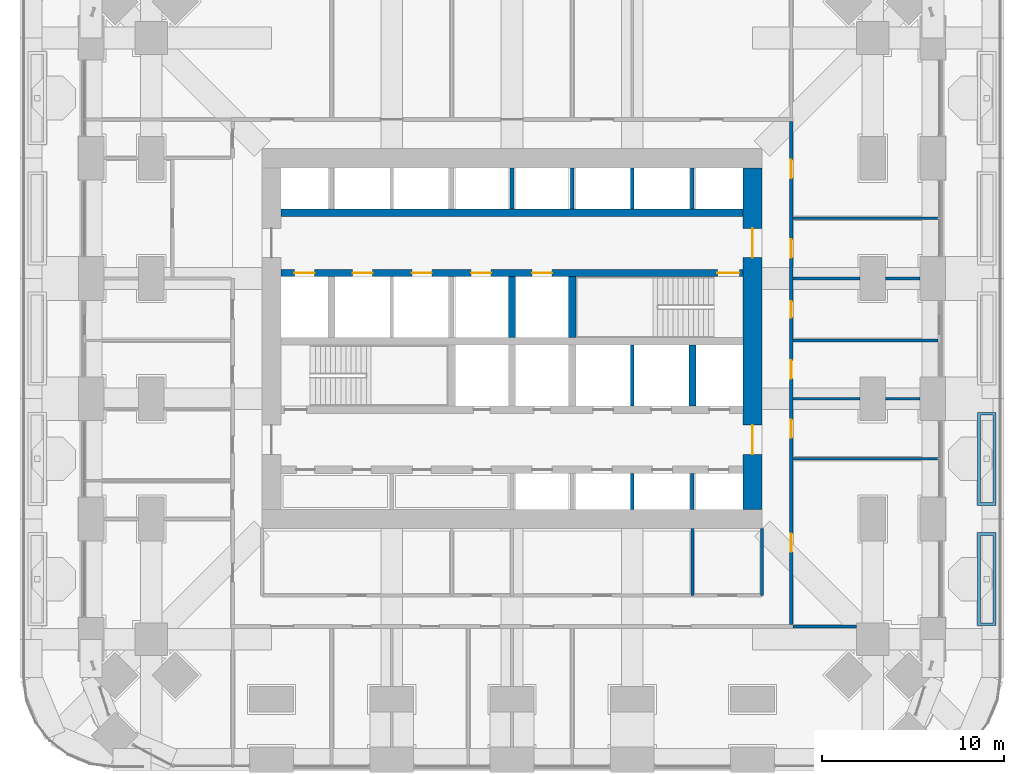
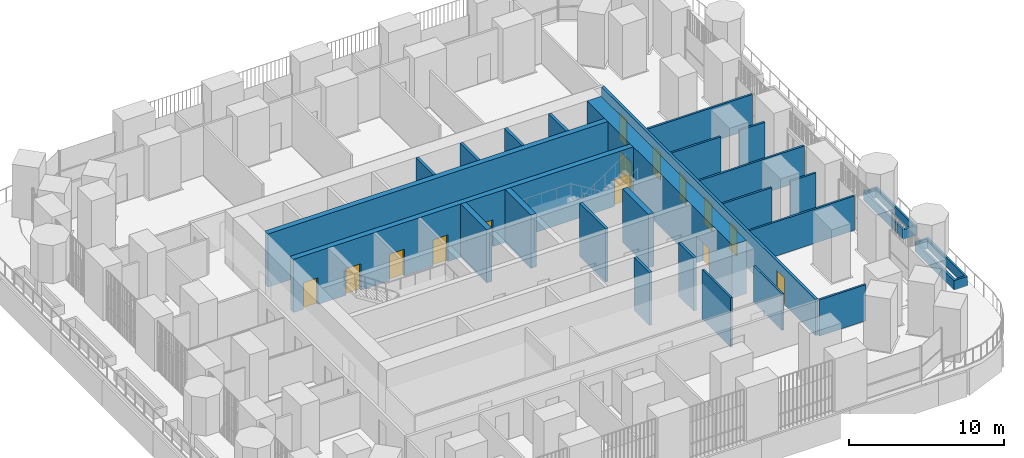
# One storey, part 19 of 27: 26 walls, 14 doors, 14 openings.
"""IFC4 building model written with IfcOpenShell, lengths in metres."""

from ifc_helpers import new_model, si_unit, direction, frame, frame_2d, origin, place, context, subcontext, project, spatial, polyline, rectangle, outline, extrude, material, layer, layer_set, type_object, element, fill, save


model = new_model("IFC4")

# Units and contexts
model_context = context("Model", 3, precision=1e-05, world=origin(), true_north=direction((0.0, 1.0)))
body_context = subcontext(model_context, "Body", "Model", "MODEL_VIEW")
ifc_project = project(units=[si_unit("LENGTHUNIT", "METRE"), si_unit("AREAUNIT", "SQUARE_METRE"), si_unit("VOLUMEUNIT", "CUBIC_METRE"), si_unit("PLANEANGLEUNIT", "RADIAN"), si_unit("MASSUNIT", "GRAM", prefix="KILO")], contexts=[model_context])

# Site, building, storey
site_placement = place(None, origin())
site = spatial("IfcSite", under=ifc_project, at=site_placement, CompositionType="ELEMENT")
building_placement = place(site_placement, origin())
building = spatial("IfcBuilding", under=site, at=building_placement, Name="Cobogo Forest Laboratory Tower", CompositionType="ELEMENT")
storey_placement = place(building_placement, frame((0.0, 0.0, 82.199951171875)))
storey = spatial("IfcBuildingStorey", under=building, at=storey_placement, Name="L18", CompositionType="ELEMENT", Elevation=82.199951171875)

# Wall, openings, doors
ifc_material_1 = material(Name="Concrete HA-50 (C50/60)", Category="concrete")
ifc_layer_1 = layer(ifc_material_1, 0.39990234375)
ifc_layer_set_1 = layer_set([ifc_layer_1], Name="CI400 core inner wall 400")
wall_type_1 = type_object("IfcWallType", Name="CI400 core inner wall 400", PredefinedType="SHEAR", material=ifc_layer_set_1)
wall_1_placement = place(storey_placement, frame((13.72509765625, 26.699951171875, 0.0), z_axis=(0.0, 0.0, 1.0), x_axis=(1.0, 0.0, 0.0)))
wall_1 = element("IfcWall", 1, at=wall_1_placement, inside=storey, type_object=wall_type_1, Name="Core wall CI-26.7 L18", PredefinedType="SHEAR", context=body_context, shape_type="SweptSolid", body=[
    extrude(rectangle(XDim=25.349853515625, YDim=0.39990234375, at=frame_2d((12.6748046875, 0.0))), origin(), (0.0, 0.0, 1.0), 4.199951171875),
])
opening_1_placement = place(wall_1_placement, frame((23.949951171875, 0.0, 0.0)))
opening_1 = element("IfcOpeningElement", 2, at=opening_1_placement, cuts=wall_1, Name="Opening L18-D31", PredefinedType="OPENING", context=body_context, shape_type="SweptSolid", body=[
    extrude(rectangle(XDim=1.199951171875, YDim=2.10009765625, at=frame_2d((0.60009765625, 1.050048828125))), frame((0.0, 0.2099609375, 0.0), z_axis=(0.0, -1.0, 0.0), x_axis=(1.0, 0.0, 0.0)), (0.0, 0.0, 1.0), 0.419921875),
])
opening_2_placement = place(wall_1_placement, frame((0.737548828125, 0.0, 0.0)))
opening_2 = element("IfcOpeningElement", 3, at=opening_2_placement, cuts=wall_1, Name="Opening L18-LD-FL1", PredefinedType="OPENING", context=body_context, shape_type="SweptSolid", body=[
    extrude(rectangle(XDim=1.10009765625, YDim=2.10009765625, at=frame_2d((0.550048828125, 1.050048828125))), frame((0.0, 0.2099609375, 0.0), z_axis=(0.0, -1.0, 0.0), x_axis=(1.0, 0.0, 0.0)), (0.0, 0.0, 1.0), 0.419921875),
])
opening_3_placement = place(wall_1_placement, frame((3.925048828125, 0.0, 0.0)))
opening_3 = element("IfcOpeningElement", 4, at=opening_3_placement, cuts=wall_1, Name="Opening L18-LD-LS3", PredefinedType="OPENING", context=body_context, shape_type="SweptSolid", body=[
    extrude(rectangle(XDim=1.10009765625, YDim=2.10009765625, at=frame_2d((0.550048828125, 1.050048828125))), frame((0.0, 0.2099609375, 0.0), z_axis=(0.0, -1.0, 0.0), x_axis=(1.0, 0.0, 0.0)), (0.0, 0.0, 1.0), 0.419921875),
])
opening_4_placement = place(wall_1_placement, frame((7.175048828125, 0.0, 0.0)))
opening_4 = element("IfcOpeningElement", 5, at=opening_4_placement, cuts=wall_1, Name="Opening L18-LD-LS4", PredefinedType="OPENING", context=body_context, shape_type="SweptSolid", body=[
    extrude(rectangle(XDim=1.10009765625, YDim=2.10009765625, at=frame_2d((0.550048828125, 1.050048828125))), frame((0.0, 0.2099609375, 0.0), z_axis=(0.0, -1.0, 0.0), x_axis=(1.0, 0.0, 0.0)), (0.0, 0.0, 1.0), 0.419921875),
])
opening_5_placement = place(wall_1_placement, frame((10.425048828125, 0.0, 0.0)))
opening_5 = element("IfcOpeningElement", 6, at=opening_5_placement, cuts=wall_1, Name="Opening L18-LD-LS5", PredefinedType="OPENING", context=body_context, shape_type="SweptSolid", body=[
    extrude(rectangle(XDim=1.10009765625, YDim=2.10009765625, at=frame_2d((0.550048828125, 1.050048828125))), frame((0.0, 0.2099609375, 0.0), z_axis=(0.0, -1.0, 0.0), x_axis=(1.0, 0.0, 0.0)), (0.0, 0.0, 1.0), 0.419921875),
])
opening_6_placement = place(wall_1_placement, frame((13.77490234375, 0.0, 0.0)))
opening_6 = element("IfcOpeningElement", 7, at=opening_6_placement, cuts=wall_1, Name="Opening L18-LD-LS6", PredefinedType="OPENING", context=body_context, shape_type="SweptSolid", body=[
    extrude(rectangle(XDim=1.10009765625, YDim=2.10009765625, at=frame_2d((0.550048828125, 1.050048828125))), frame((0.0, 0.2099609375, 0.0), z_axis=(0.0, -1.0, 0.0), x_axis=(1.0, 0.0, 0.0)), (0.0, 0.0, 1.0), 0.419921875),
])
ifc_material_2 = material(Name="Steel fire door", Category="steel")
door_type_1 = type_object("IfcDoorType", Name="DS1 protected stair door 1200 EI2 60", OperationType="SINGLE_SWING_LEFT", PredefinedType="DOOR", material=ifc_material_2)
door_1_placement = place(opening_1_placement, origin())
door_1 = element("IfcDoor", 8, at=door_1_placement, inside=storey, type_object=door_type_1, Name="Door L18-ST2", OperationType="SINGLE_SWING_RIGHT", OverallHeight=2.10009765625, OverallWidth=1.199951171875, PredefinedType="DOOR", context=body_context, shape_type="SweptSolid", body=[
    extrude(rectangle(XDim=1.199951171875, YDim=2.10009765625, at=frame_2d((0.60009765625, 1.050048828125))), frame((0.0, 0.02490234375, 0.0), z_axis=(0.0, -1.0, 0.0), x_axis=(1.0, 0.0, 0.0)), (0.0, 0.0, 1.0), 0.050048828125),
])
fill(opening_1, door_1)
ifc_material_3 = material(Name="Stainless steel lift door", Category="steel")
door_type_2 = type_object("IfcDoorType", Name="LD lift landing door 1100", OperationType="DOUBLE_DOOR_SLIDING", PredefinedType="DOOR", material=ifc_material_3)
door_2_placement = place(opening_2_placement, origin())
door_2 = element("IfcDoor", 9, at=door_2_placement, inside=storey, type_object=door_type_2, Name="Lift landing door FL1 L18", OperationType="DOUBLE_DOOR_SLIDING", OverallHeight=2.10009765625, OverallWidth=1.10009765625, PredefinedType="DOOR", context=body_context, shape_type="SweptSolid", body=[
    extrude(rectangle(XDim=1.10009765625, YDim=2.10009765625, at=frame_2d((0.550048828125, 1.050048828125))), frame((0.0, 0.02490234375, 0.0), z_axis=(0.0, -1.0, 0.0), x_axis=(1.0, 0.0, 0.0)), (0.0, 0.0, 1.0), 0.050048828125),
])
fill(opening_2, door_2)
door_3_placement = place(opening_3_placement, origin())
door_3 = element("IfcDoor", 10, at=door_3_placement, inside=storey, type_object=door_type_2, Name="Lift landing door LS3 L18", OperationType="DOUBLE_DOOR_SLIDING", OverallHeight=2.10009765625, OverallWidth=1.10009765625, PredefinedType="DOOR", context=body_context, shape_type="SweptSolid", body=[
    extrude(rectangle(XDim=1.10009765625, YDim=2.10009765625, at=frame_2d((0.550048828125, 1.050048828125))), frame((0.0, 0.02490234375, 0.0), z_axis=(0.0, -1.0, 0.0), x_axis=(1.0, 0.0, 0.0)), (0.0, 0.0, 1.0), 0.050048828125),
])
fill(opening_3, door_3)
door_4_placement = place(opening_4_placement, origin())
door_4 = element("IfcDoor", 11, at=door_4_placement, inside=storey, type_object=door_type_2, Name="Lift landing door LS4 L18", OperationType="DOUBLE_DOOR_SLIDING", OverallHeight=2.10009765625, OverallWidth=1.10009765625, PredefinedType="DOOR", context=body_context, shape_type="SweptSolid", body=[
    extrude(rectangle(XDim=1.10009765625, YDim=2.10009765625, at=frame_2d((0.550048828125, 1.050048828125))), frame((0.0, 0.02490234375, 0.0), z_axis=(0.0, -1.0, 0.0), x_axis=(1.0, 0.0, 0.0)), (0.0, 0.0, 1.0), 0.050048828125),
])
fill(opening_4, door_4)
door_5_placement = place(opening_5_placement, origin())
door_5 = element("IfcDoor", 12, at=door_5_placement, inside=storey, type_object=door_type_2, Name="Lift landing door LS5 L18", OperationType="DOUBLE_DOOR_SLIDING", OverallHeight=2.10009765625, OverallWidth=1.10009765625, PredefinedType="DOOR", context=body_context, shape_type="SweptSolid", body=[
    extrude(rectangle(XDim=1.10009765625, YDim=2.10009765625, at=frame_2d((0.550048828125, 1.050048828125))), frame((0.0, 0.02490234375, 0.0), z_axis=(0.0, -1.0, 0.0), x_axis=(1.0, 0.0, 0.0)), (0.0, 0.0, 1.0), 0.050048828125),
])
fill(opening_5, door_5)
door_6_placement = place(opening_6_placement, origin())
door_6 = element("IfcDoor", 13, at=door_6_placement, inside=storey, type_object=door_type_2, Name="Lift landing door LS6 L18", OperationType="DOUBLE_DOOR_SLIDING", OverallHeight=2.10009765625, OverallWidth=1.10009765625, PredefinedType="DOOR", context=body_context, shape_type="SweptSolid", body=[
    extrude(rectangle(XDim=1.10009765625, YDim=2.10009765625, at=frame_2d((0.550048828125, 1.050048828125))), frame((0.0, 0.02490234375, 0.0), z_axis=(0.0, -1.0, 0.0), x_axis=(1.0, 0.0, 0.0)), (0.0, 0.0, 1.0), 0.050048828125),
])
fill(opening_6, door_6)

# Walls
wall_2_placement = place(storey_placement, frame((13.72509765625, 30.0, 0.0), z_axis=(0.0, 0.0, 1.0), x_axis=(1.0, 0.0, 0.0)))
element("IfcWall", 14, at=wall_2_placement, inside=storey, type_object=wall_type_1, Name="Core wall CI-30.0 L18", PredefinedType="SHEAR", context=body_context, shape_type="SweptSolid", body=[
    extrude(rectangle(XDim=25.349853515625, YDim=0.39990234375, at=frame_2d((12.6748046875, 0.0))), origin(), (0.0, 0.0, 1.0), 4.199951171875),
])
for number, where, z_axis, x_axis, name in (
    (15, (36.300048828125, 19.39990234375, 0.0), (0.0, 0.0, 1.0), (0.0, 1.0, 0.0), "Core wall CX-36.3 L18"),
    (16, (26.39990234375, 23.14990234375, 0.0), (0.0, 0.0, 1.0), (0.0, 1.0, 0.0), "Core wall CX-26.4N L18"),
    (17, (29.699951171875, 23.14990234375, 0.0), (0.0, 0.0, 1.0), (0.0, 1.0, 0.0), "Core wall CX-29.7N L18"),
):
    element("IfcWall", number, at=place(storey_placement, frame(where, z_axis=z_axis, x_axis=x_axis)), inside=storey, type_object=wall_type_1, Name=name, PredefinedType="SHEAR", context=body_context, shape_type="SweptSolid", body=[
        extrude(rectangle(XDim=3.35009765625, YDim=0.39990234375, at=frame_2d((1.675048828125, 0.0))), origin(), (0.0, 0.0, 1.0), 4.199951171875),
    ])

# Wall, openings, doors
ifc_layer_2 = layer(ifc_material_1, 1.050048828125)
ifc_layer_set_2 = layer_set([ifc_layer_2], Name="CW1050 core outer wall 1050")
wall_type_2 = type_object("IfcWallType", Name="CW1050 core outer wall 1050", PredefinedType="SHEAR", material=ifc_layer_set_2)
wall_3_placement = place(storey_placement, frame((39.60009765625, 13.72509765625, 0.0), z_axis=(0.0, 0.0, 1.0), x_axis=(0.0, 1.0, 0.0)))
wall_3 = element("IfcWall", 18, at=wall_3_placement, inside=storey, type_object=wall_type_2, Name="Core wall CO-E L18", PredefinedType="SHEAR", context=body_context, shape_type="SweptSolid", body=[
    extrude(rectangle(XDim=18.75, YDim=1.050048828125, at=frame_2d((9.375, 0.0))), origin(), (0.0, 0.0, 1.0), 4.199951171875),
])
opening_7_placement = place(wall_3_placement, frame((3.02490234375, 0.0, 0.0)))
opening_7 = element("IfcOpeningElement", 19, at=opening_7_placement, cuts=wall_3, Name="Opening L18-D20", PredefinedType="OPENING", context=body_context, shape_type="SweptSolid", body=[
    extrude(rectangle(XDim=1.60009765625, YDim=2.10009765625, at=frame_2d((0.800048828125, 1.050048828125))), frame((0.0, 0.534912109375, 0.0), z_axis=(0.0, -1.0, 0.0), x_axis=(1.0, 0.0, 0.0)), (0.0, 0.0, 1.0), 1.070068359375),
])
opening_8_placement = place(wall_3_placement, frame((13.824951171875, 0.0, 0.0)))
opening_8 = element("IfcOpeningElement", 20, at=opening_8_placement, cuts=wall_3, Name="Opening L18-D34", PredefinedType="OPENING", context=body_context, shape_type="SweptSolid", body=[
    extrude(rectangle(XDim=1.60009765625, YDim=2.10009765625, at=frame_2d((0.800048828125, 1.050048828125))), frame((0.0, 0.534912109375, 0.0), z_axis=(0.0, -1.0, 0.0), x_axis=(1.0, 0.0, 0.0)), (0.0, 0.0, 1.0), 1.070068359375),
])
door_type_3 = type_object("IfcDoorType", Name="DS2 protected lobby door pair 1600 EI2 60", OperationType="DOUBLE_DOOR_DOUBLE_SWING", PredefinedType="DOOR", material=ifc_material_2)
door_7_placement = place(opening_7_placement, origin())
door_7 = element("IfcDoor", 21, at=door_7_placement, inside=storey, type_object=door_type_3, Name="Door L18-CO-E-S", OperationType="DOUBLE_DOOR_DOUBLE_SWING", OverallHeight=2.10009765625, OverallWidth=1.60009765625, PredefinedType="DOOR", context=body_context, shape_type="SweptSolid", body=[
    extrude(rectangle(XDim=1.60009765625, YDim=2.10009765625, at=frame_2d((0.800048828125, 1.050048828125))), frame((0.0, 0.02490234375, 0.0), z_axis=(0.0, -1.0, 0.0), x_axis=(1.0, 0.0, 0.0)), (0.0, 0.0, 1.0), 0.050048828125),
])
fill(opening_7, door_7)
door_8_placement = place(opening_8_placement, origin())
door_8 = element("IfcDoor", 22, at=door_8_placement, inside=storey, type_object=door_type_3, Name="Door L18-CO-E-N", OperationType="DOUBLE_DOOR_DOUBLE_SWING", OverallHeight=2.10009765625, OverallWidth=1.60009765625, PredefinedType="DOOR", context=body_context, shape_type="SweptSolid", body=[
    extrude(rectangle(XDim=1.60009765625, YDim=2.10009765625, at=frame_2d((0.800048828125, 1.050048828125))), frame((0.0, 0.02490234375, 0.0), z_axis=(0.0, -1.0, 0.0), x_axis=(1.0, 0.0, 0.0)), (0.0, 0.0, 1.0), 0.050048828125),
])
fill(opening_8, door_8)

# Walls
ifc_material_4 = material(Name="Gypsum board on steel studs", Category="steel")
ifc_layer_3 = layer(ifc_material_4, 0.14990234375)
ifc_layer_set_3 = layer_set([ifc_layer_3], Name="PT1 laboratory partition 150")
wall_type_3 = type_object("IfcWallType", Name="PT1 laboratory partition 150", PredefinedType="PARTITIONING", material=ifc_layer_set_3)
wall_4_placement = place(storey_placement, frame((40.125, 12.675048828125, 0.0), z_axis=(0.0, 0.0, 1.0), x_axis=(0.0, -1.0, 0.0)))
element("IfcWall", 23, at=wall_4_placement, inside=storey, type_object=wall_type_3, Name="Partition CSTRIP-SE L18", PredefinedType="PARTITIONING", context=body_context, shape_type="SweptSolid", body=[
    extrude(rectangle(XDim=3.675048828125, YDim=0.14990234375, at=frame_2d((1.83740234375, 0.0))), origin(), (0.0, 0.0, 1.0), 2.85009765625),
])
wall_5_placement = place(storey_placement, frame((36.300048828125, 12.675048828125, 0.0), z_axis=(0.0, 0.0, 1.0), x_axis=(0.0, -1.0, 0.0)))
element("IfcWall", 24, at=wall_5_placement, inside=storey, type_object=wall_type_3, Name="Partition CSTRIP-S36.3 L18", PredefinedType="PARTITIONING", context=body_context, shape_type="SweptSolid", body=[
    extrude(rectangle(XDim=3.675048828125, YDim=0.14990234375, at=frame_2d((1.83740234375, 0.0))), origin(), (0.0, 0.0, 1.0), 3.900146484375),
])
wall_6_placement = place(storey_placement, frame((45.300048828125, 7.300048828125, 0.0), z_axis=(0.0, 0.0, 1.0), x_axis=(-1.0, 0.0, 0.0)))
element("IfcWall", 25, at=wall_6_placement, inside=storey, type_object=wall_type_3, Name="Partition PW-SE L18", PredefinedType="PARTITIONING", context=body_context, shape_type="SweptSolid", body=[
    extrude(rectangle(XDim=3.47509765625, YDim=0.14990234375, at=frame_2d((1.737548828125, 0.0))), origin(), (0.0, 0.0, 1.0), 2.85009765625),
])
wall_7_placement = place(storey_placement, frame((49.77001953125, 23.0, 0.0), z_axis=(0.0, 0.0, 1.0), x_axis=(-1.0, 0.0, 0.0)))
element("IfcWall", 26, at=wall_7_placement, inside=storey, type_object=wall_type_3, Name="Partition SVC-E1-1 L18", PredefinedType="PARTITIONING", context=body_context, shape_type="SweptSolid", body=[
    extrude(rectangle(XDim=7.945068359375, YDim=0.14990234375, at=frame_2d((3.97265625, 0.0))), origin(), (0.0, 0.0, 1.0), 2.699951171875),
])
wall_8_placement = place(storey_placement, frame((48.800048828125, 26.39990234375, 0.0), z_axis=(0.0, 0.0, 1.0), x_axis=(-1.0, 0.0, 0.0)))
element("IfcWall", 27, at=wall_8_placement, inside=storey, type_object=wall_type_3, Name="Partition SVC-E2-1 L18", PredefinedType="PARTITIONING", context=body_context, shape_type="SweptSolid", body=[
    extrude(rectangle(XDim=1.900146484375, YDim=0.14990234375, at=frame_2d((0.9501953125, 0.0))), origin(), (0.0, 0.0, 1.0), 2.85009765625),
])
wall_9_placement = place(storey_placement, frame((45.5, 26.39990234375, 0.0), z_axis=(0.0, 0.0, 1.0), x_axis=(-1.0, 0.0, 0.0)))
element("IfcWall", 28, at=wall_9_placement, inside=storey, type_object=wall_type_3, Name="Partition SVC-E2-2 L18", PredefinedType="PARTITIONING", context=body_context, shape_type="SweptSolid", body=[
    extrude(rectangle(XDim=3.675048828125, YDim=0.14990234375, at=frame_2d((1.83740234375, 0.0))), origin(), (0.0, 0.0, 1.0), 2.85009765625),
])
wall_10_placement = place(storey_placement, frame((49.77001953125, 16.5, 0.0), z_axis=(0.0, 0.0, 1.0), x_axis=(-1.0, 0.0, 0.0)))
element("IfcWall", 29, at=wall_10_placement, inside=storey, type_object=wall_type_3, Name="Partition CUT-E16.5-1 L18", PredefinedType="PARTITIONING", context=body_context, shape_type="SweptSolid", body=[
    extrude(rectangle(XDim=7.945068359375, YDim=0.14990234375, at=frame_2d((3.97265625, 0.0))), origin(), (0.0, 0.0, 1.0), 2.699951171875),
])
wall_11_placement = place(storey_placement, frame((48.800048828125, 19.800048828125, 0.0), z_axis=(0.0, 0.0, 1.0), x_axis=(-1.0, 0.0, 0.0)))
element("IfcWall", 30, at=wall_11_placement, inside=storey, type_object=wall_type_3, Name="Partition CUT-E19.8-1 L18", PredefinedType="PARTITIONING", context=body_context, shape_type="SweptSolid", body=[
    extrude(rectangle(XDim=1.900146484375, YDim=0.14990234375, at=frame_2d((0.9501953125, 0.0))), origin(), (0.0, 0.0, 1.0), 2.85009765625),
])
wall_12_placement = place(storey_placement, frame((45.5, 19.800048828125, 0.0), z_axis=(0.0, 0.0, 1.0), x_axis=(-1.0, 0.0, 0.0)))
element("IfcWall", 31, at=wall_12_placement, inside=storey, type_object=wall_type_3, Name="Partition CUT-E19.8-2 L18", PredefinedType="PARTITIONING", context=body_context, shape_type="SweptSolid", body=[
    extrude(rectangle(XDim=3.675048828125, YDim=0.14990234375, at=frame_2d((1.83740234375, 0.0))), origin(), (0.0, 0.0, 1.0), 2.85009765625),
])
wall_13_placement = place(storey_placement, frame((49.77001953125, 29.699951171875, 0.0), z_axis=(0.0, 0.0, 1.0), x_axis=(-1.0, 0.0, 0.0)))
element("IfcWall", 32, at=wall_13_placement, inside=storey, type_object=wall_type_3, Name="Partition CUT-E29.7-1 L18", PredefinedType="PARTITIONING", context=body_context, shape_type="SweptSolid", body=[
    extrude(rectangle(XDim=7.945068359375, YDim=0.14990234375, at=frame_2d((3.97265625, 0.0))), origin(), (0.0, 0.0, 1.0), 2.699951171875),
])

# Wall, openings, doors
ifc_layer_4 = layer(ifc_material_4, 0.199951171875)
ifc_layer_set_4 = layer_set([ifc_layer_4], Name="PT2 fire-rated corridor partition 200")
wall_type_4 = type_object("IfcWallType", Name="PT2 fire-rated corridor partition 200", PredefinedType="PARTITIONING", material=ifc_layer_set_4)
wall_14_placement = place(storey_placement, frame((41.72509765625, 7.39990234375, 0.0), z_axis=(0.0, 0.0, 1.0), x_axis=(0.0, 1.0, 0.0)))
wall_14 = element("IfcWall", 33, at=wall_14_placement, inside=storey, type_object=wall_type_4, Name="Partition CORR-E L18", PredefinedType="PARTITIONING", context=body_context, shape_type="SweptSolid", body=[
    extrude(rectangle(XDim=27.625, YDim=0.199951171875, at=frame_2d((13.8125, 0.0))), origin(), (0.0, 0.0, 1.0), 2.85009765625),
])
opening_9_placement = place(wall_14_placement, frame((4.0, 0.0, 0.0)))
opening_9 = element("IfcOpeningElement", 34, at=opening_9_placement, cuts=wall_14, Name="Opening L18-D12", PredefinedType="OPENING", context=body_context, shape_type="SweptSolid", body=[
    extrude(rectangle(XDim=1.0, YDim=2.10009765625, at=frame_2d((0.5, 1.050048828125))), frame((0.0, 0.10986328125, 0.0), z_axis=(0.0, -1.0, 0.0), x_axis=(1.0, 0.0, 0.0)), (0.0, 0.0, 1.0), 0.219970703125),
])
opening_10_placement = place(wall_14_placement, frame((10.25, 0.0, 0.0)))
opening_10 = element("IfcOpeningElement", 35, at=opening_10_placement, cuts=wall_14, Name="Opening L18-D21", PredefinedType="OPENING", context=body_context, shape_type="SweptSolid", body=[
    extrude(rectangle(XDim=1.0, YDim=2.10009765625, at=frame_2d((0.5, 1.050048828125))), frame((0.0, 0.10986328125, 0.0), z_axis=(0.0, -1.0, 0.0), x_axis=(1.0, 0.0, 0.0)), (0.0, 0.0, 1.0), 0.219970703125),
])
opening_11_placement = place(wall_14_placement, frame((13.5, 0.0, 0.0)))
opening_11 = element("IfcOpeningElement", 36, at=opening_11_placement, cuts=wall_14, Name="Opening L18-D26", PredefinedType="OPENING", context=body_context, shape_type="SweptSolid", body=[
    extrude(rectangle(XDim=1.0, YDim=2.10009765625, at=frame_2d((0.5, 1.050048828125))), frame((0.0, 0.10986328125, 0.0), z_axis=(0.0, -1.0, 0.0), x_axis=(1.0, 0.0, 0.0)), (0.0, 0.0, 1.0), 0.219970703125),
])
opening_12_placement = place(wall_14_placement, frame((16.85009765625, 0.0, 0.0)))
opening_12 = element("IfcOpeningElement", 37, at=opening_12_placement, cuts=wall_14, Name="Opening L18-D30", PredefinedType="OPENING", context=body_context, shape_type="SweptSolid", body=[
    extrude(rectangle(XDim=0.89990234375, YDim=2.10009765625, at=frame_2d((0.449951171875, 1.050048828125))), frame((0.0, 0.10986328125, 0.0), z_axis=(0.0, -1.0, 0.0), x_axis=(1.0, 0.0, 0.0)), (0.0, 0.0, 1.0), 0.219970703125),
])
opening_13_placement = place(wall_14_placement, frame((20.14990234375, 0.0, 0.0)))
opening_13 = element("IfcOpeningElement", 38, at=opening_13_placement, cuts=wall_14, Name="Opening L18-D32", PredefinedType="OPENING", context=body_context, shape_type="SweptSolid", body=[
    extrude(rectangle(XDim=1.0, YDim=2.10009765625, at=frame_2d((0.5, 1.050048828125))), frame((0.0, 0.10986328125, 0.0), z_axis=(0.0, -1.0, 0.0), x_axis=(1.0, 0.0, 0.0)), (0.0, 0.0, 1.0), 0.219970703125),
])
opening_14_placement = place(wall_14_placement, frame((24.512451171875, 0.0, 0.0)))
opening_14 = element("IfcOpeningElement", 39, at=opening_14_placement, cuts=wall_14, Name="Opening L18-D36", PredefinedType="OPENING", context=body_context, shape_type="SweptSolid", body=[
    extrude(rectangle(XDim=1.0, YDim=2.10009765625, at=frame_2d((0.5, 1.050048828125))), frame((0.0, 0.10986328125, 0.0), z_axis=(0.0, -1.0, 0.0), x_axis=(1.0, 0.0, 0.0)), (0.0, 0.0, 1.0), 0.219970703125),
])
door_type_4 = type_object("IfcDoorType", Name="FD1 fire door 1000 EI2 60", OperationType="SINGLE_SWING_LEFT", PredefinedType="DOOR", material=ifc_material_2)
door_9_placement = place(opening_11_placement, origin())
door_9 = element("IfcDoor", 40, at=door_9_placement, inside=storey, type_object=door_type_4, Name="Door L18-ELEC", OperationType="SINGLE_SWING_RIGHT", OverallHeight=2.10009765625, OverallWidth=1.0, PredefinedType="DOOR", context=body_context, shape_type="SweptSolid", body=[
    extrude(rectangle(XDim=1.0, YDim=2.10009765625, at=frame_2d((0.5, 1.050048828125))), frame((0.0, 0.02490234375, 0.0), z_axis=(0.0, -1.0, 0.0), x_axis=(1.0, 0.0, 0.0)), (0.0, 0.0, 1.0), 0.050048828125),
])
fill(opening_11, door_9)
ifc_material_5 = material(Name="Timber fire door", Category="wood")
door_type_5 = type_object("IfcDoorType", Name="FD2 fire door 1000 EI2 30", OperationType="SINGLE_SWING_LEFT", PredefinedType="DOOR", material=ifc_material_5)
door_10_placement = place(opening_9_placement, origin())
door_10 = element("IfcDoor", 41, at=door_10_placement, inside=storey, type_object=door_type_5, Name="Door L18-E1", OperationType="SINGLE_SWING_LEFT", OverallHeight=2.10009765625, OverallWidth=1.0, PredefinedType="DOOR", context=body_context, shape_type="SweptSolid", body=[
    extrude(rectangle(XDim=1.0, YDim=2.10009765625, at=frame_2d((0.5, 1.050048828125))), frame((0.0, 0.02490234375, 0.0), z_axis=(0.0, -1.0, 0.0), x_axis=(1.0, 0.0, 0.0)), (0.0, 0.0, 1.0), 0.050048828125),
])
fill(opening_9, door_10)
door_11_placement = place(opening_10_placement, origin())
door_11 = element("IfcDoor", 42, at=door_11_placement, inside=storey, type_object=door_type_5, Name="Door L18-E2", OperationType="SINGLE_SWING_LEFT", OverallHeight=2.10009765625, OverallWidth=1.0, PredefinedType="DOOR", context=body_context, shape_type="SweptSolid", body=[
    extrude(rectangle(XDim=1.0, YDim=2.10009765625, at=frame_2d((0.5, 1.050048828125))), frame((0.0, 0.02490234375, 0.0), z_axis=(0.0, -1.0, 0.0), x_axis=(1.0, 0.0, 0.0)), (0.0, 0.0, 1.0), 0.050048828125),
])
fill(opening_10, door_11)
door_12_placement = place(opening_13_placement, origin())
door_12 = element("IfcDoor", 43, at=door_12_placement, inside=storey, type_object=door_type_5, Name="Door L18-E3", OperationType="SINGLE_SWING_RIGHT", OverallHeight=2.10009765625, OverallWidth=1.0, PredefinedType="DOOR", context=body_context, shape_type="SweptSolid", body=[
    extrude(rectangle(XDim=1.0, YDim=2.10009765625, at=frame_2d((0.5, 1.050048828125))), frame((0.0, 0.02490234375, 0.0), z_axis=(0.0, -1.0, 0.0), x_axis=(1.0, 0.0, 0.0)), (0.0, 0.0, 1.0), 0.050048828125),
])
fill(opening_13, door_12)
door_13_placement = place(opening_14_placement, origin())
door_13 = element("IfcDoor", 44, at=door_13_placement, inside=storey, type_object=door_type_5, Name="Door L18-E4", OperationType="SINGLE_SWING_RIGHT", OverallHeight=2.10009765625, OverallWidth=1.0, PredefinedType="DOOR", context=body_context, shape_type="SweptSolid", body=[
    extrude(rectangle(XDim=1.0, YDim=2.10009765625, at=frame_2d((0.5, 1.050048828125))), frame((0.0, 0.02490234375, 0.0), z_axis=(0.0, -1.0, 0.0), x_axis=(1.0, 0.0, 0.0)), (0.0, 0.0, 1.0), 0.050048828125),
])
fill(opening_14, door_13)
door_type_6 = type_object("IfcDoorType", Name="FD4 riser access door 900 EI2 60", OperationType="SINGLE_SWING_LEFT", PredefinedType="DOOR", material=ifc_material_2)
door_14_placement = place(opening_12_placement, origin())
door_14 = element("IfcDoor", 45, at=door_14_placement, inside=storey, type_object=door_type_6, Name="Door L18-COMMS", OperationType="SINGLE_SWING_RIGHT", OverallHeight=2.10009765625, OverallWidth=0.89990234375, PredefinedType="DOOR", context=body_context, shape_type="SweptSolid", body=[
    extrude(rectangle(XDim=0.89990234375, YDim=2.10009765625, at=frame_2d((0.449951171875, 1.050048828125))), frame((0.0, 0.02490234375, 0.0), z_axis=(0.0, -1.0, 0.0), x_axis=(1.0, 0.0, 0.0)), (0.0, 0.0, 1.0), 0.050048828125),
])
fill(opening_12, door_14)

# Walls
ifc_material_6 = material(Name="Concrete HA-40 (C40/50)", Category="concrete")
ifc_layer_5 = layer(ifc_material_6, 0.14990234375)
ifc_layer_set_5 = layer_set([ifc_layer_5], Name="Planter box 1000x750")
wall_type_5 = type_object("IfcWallType", Name="Planter box 1000x750", PredefinedType="USERDEFINED", material=ifc_layer_set_5)
wall_15_placement = place(storey_placement, origin())
element("IfcWall", 46, at=wall_15_placement, inside=storey, type_object=wall_type_5, Name="Terrace planter TER-E-1 L18", ObjectType="PLANTER", PredefinedType="USERDEFINED", context=body_context, shape_type="SweptSolid", body=[
    extrude(outline(polyline([(51.949951171875, 7.35009765625), (52.949951171875, 7.35009765625), (52.949951171875, 12.449951171875), (51.949951171875, 12.449951171875), (51.949951171875, 7.35009765625)]), holes=[polyline([(52.10009765625, 7.5), (52.800048828125, 7.5), (52.800048828125, 12.300048828125), (52.10009765625, 12.300048828125), (52.10009765625, 7.5)])]), origin(), (0.0, 0.0, 1.0), 0.75),
])
wall_16_placement = place(storey_placement, origin())
element("IfcWall", 47, at=wall_16_placement, inside=storey, type_object=wall_type_5, Name="Terrace planter TER-E-2 L18", ObjectType="PLANTER", PredefinedType="USERDEFINED", context=body_context, shape_type="SweptSolid", body=[
    extrude(outline(polyline([(51.949951171875, 13.949951171875), (52.949951171875, 13.949951171875), (52.949951171875, 19.050048828125), (51.949951171875, 19.050048828125), (51.949951171875, 13.949951171875)]), holes=[polyline([(52.10009765625, 14.10009765625), (52.800048828125, 14.10009765625), (52.800048828125, 18.89990234375), (52.10009765625, 18.89990234375), (52.10009765625, 14.10009765625)])]), origin(), (0.0, 0.0, 1.0), 0.75),
])
ifc_material_7 = material(Name="Concrete block", Category="concrete")
ifc_layer_6 = layer(ifc_material_7, 0.199951171875)
ifc_layer_set_6 = layer_set([ifc_layer_6], Name="SW200 lift shaft separator 200")
wall_type_6 = type_object("IfcWallType", Name="SW200 lift shaft separator 200", PredefinedType="PARTITIONING", material=ifc_layer_set_6)
for number, where, z_axis, x_axis, name in (
    (48, (26.39990234375, 30.199951171875, 0.0), (0.0, 0.0, 1.0), (0.0, 1.0, 0.0), "Core wall SEP-N4 L18"),
    (49, (29.699951171875, 30.199951171875, 0.0), (0.0, 0.0, 1.0), (0.0, 1.0, 0.0), "Core wall SEP-N5 L18"),
):
    element("IfcWall", number, at=place(storey_placement, frame(where, z_axis=z_axis, x_axis=x_axis)), inside=storey, type_object=wall_type_6, Name=name, PredefinedType="PARTITIONING", context=body_context, shape_type="SweptSolid", body=[
        extrude(rectangle(XDim=2.275146484375, YDim=0.199951171875, at=frame_2d((1.1376953125, 0.0))), origin(), (0.0, 0.0, 1.0), 4.199951171875),
    ])
wall_17_placement = place(storey_placement, frame((33.0, 13.72509765625, 0.0), z_axis=(0.0, 0.0, 1.0), x_axis=(0.0, 1.0, 0.0)))
element("IfcWall", 50, at=wall_17_placement, inside=storey, type_object=wall_type_6, Name="Core wall SEP-S6 L18", PredefinedType="PARTITIONING", context=body_context, shape_type="SweptSolid", body=[
    extrude(rectangle(XDim=1.974853515625, YDim=0.199951171875, at=frame_2d((0.9873046875, 0.0))), origin(), (0.0, 0.0, 1.0), 4.199951171875),
])
wall_18_placement = place(storey_placement, frame((33.0, 30.199951171875, 0.0), z_axis=(0.0, 0.0, 1.0), x_axis=(0.0, 1.0, 0.0)))
element("IfcWall", 51, at=wall_18_placement, inside=storey, type_object=wall_type_6, Name="Core wall SEP-N6 L18", PredefinedType="PARTITIONING", context=body_context, shape_type="SweptSolid", body=[
    extrude(rectangle(XDim=2.275146484375, YDim=0.199951171875, at=frame_2d((1.1376953125, 0.0))), origin(), (0.0, 0.0, 1.0), 4.199951171875),
])
wall_19_placement = place(storey_placement, frame((36.300048828125, 13.72509765625, 0.0), z_axis=(0.0, 0.0, 1.0), x_axis=(0.0, 1.0, 0.0)))
element("IfcWall", 52, at=wall_19_placement, inside=storey, type_object=wall_type_6, Name="Core wall SEP-S7 L18", PredefinedType="PARTITIONING", context=body_context, shape_type="SweptSolid", body=[
    extrude(rectangle(XDim=1.974853515625, YDim=0.199951171875, at=frame_2d((0.9873046875, 0.0))), origin(), (0.0, 0.0, 1.0), 4.199951171875),
])
wall_20_placement = place(storey_placement, frame((36.300048828125, 30.199951171875, 0.0), z_axis=(0.0, 0.0, 1.0), x_axis=(0.0, 1.0, 0.0)))
element("IfcWall", 53, at=wall_20_placement, inside=storey, type_object=wall_type_6, Name="Core wall SEP-N7 L18", PredefinedType="PARTITIONING", context=body_context, shape_type="SweptSolid", body=[
    extrude(rectangle(XDim=2.275146484375, YDim=0.199951171875, at=frame_2d((1.1376953125, 0.0))), origin(), (0.0, 0.0, 1.0), 4.199951171875),
])
wall_21_placement = place(storey_placement, frame((33.0, 19.39990234375, 0.0), z_axis=(0.0, 0.0, 1.0), x_axis=(0.0, 1.0, 0.0)))
element("IfcWall", 54, at=wall_21_placement, inside=storey, type_object=wall_type_6, Name="Core wall SEP-M33.0 L18", PredefinedType="PARTITIONING", context=body_context, shape_type="SweptSolid", body=[
    extrude(rectangle(XDim=3.35009765625, YDim=0.199951171875, at=frame_2d((1.675048828125, 0.0))), origin(), (0.0, 0.0, 1.0), 4.199951171875),
])

save(model, "model.ifc")
